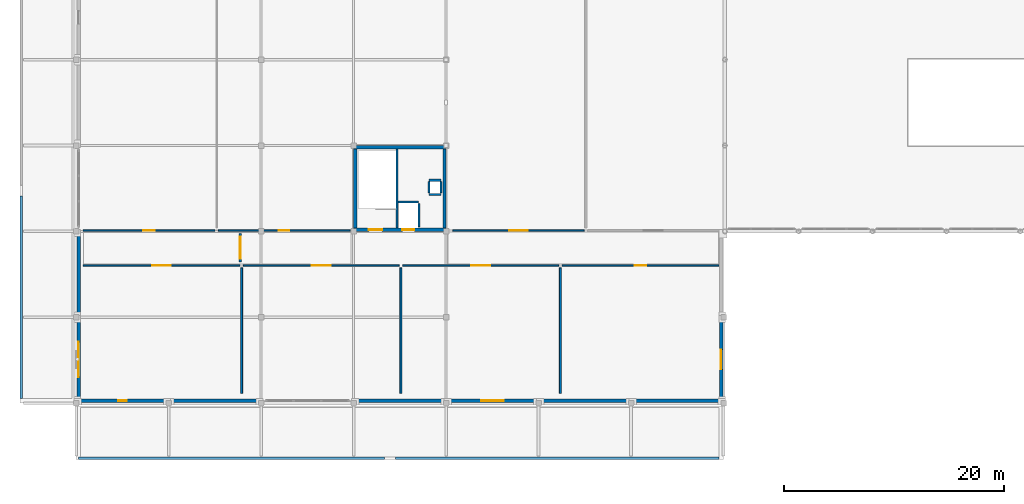
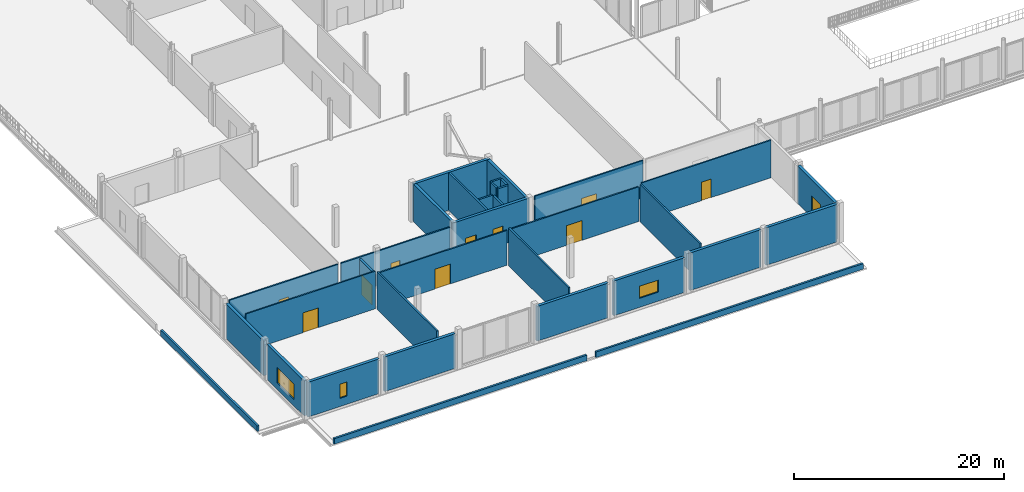
# One storey, part 68 of 98: 34 walls, 10 doors, 4 windows, 14 openings.
"""IFC4 building model written with IfcOpenShell, lengths in metres."""

import ifcopenshell
import ifcopenshell.guid

model = None  # the IFC model being written
_history = None  # IfcOwnerHistory: only IFC2X3 demands one
_inside = {}  # id of a spatial element -> (the spatial element, [elements in it])
_under = {}  # id of a project, library or spatial element -> (it, [spatial elements below it])
_declared = {}  # id of a project -> (the project, [libraries it declares])
_typed = {}  # id of a type object -> (the type object, [elements of that type])
_made_of = {}  # id of a material, layer set ... -> (it, [elements and type objects made of it])


def new_model(schema):
    """Start an empty IFC model of exactly this schema.

    Asked for "IFC4X3", IfcOpenShell would pick the latest addendum, in which some entities
    have other attributes; the version numbers below select the first issue.
    IFC2X3 requires an IfcOwnerHistory on every rooted entity: one is made here for all.
    """
    global model, _history
    if schema == "IFC4X3":
        model = ifcopenshell.file(schema_version=(4, 3, 0, 0))
    else:
        model = ifcopenshell.file(schema=schema)
    _inside.clear()
    _under.clear()
    _declared.clear()
    _typed.clear()
    _made_of.clear()
    _history = None
    if model.schema == "IFC2X3":
        org = make("IfcOrganization", Name="unknown")
        user = make(
            "IfcPersonAndOrganization",
            ThePerson=make("IfcPerson", FamilyName="unknown"),
            TheOrganization=org,
        )
        app = make(
            "IfcApplication",
            ApplicationDeveloper=org,
            Version="unknown",
            ApplicationFullName="unknown",
            ApplicationIdentifier="unknown",
        )
        _history = make(
            "IfcOwnerHistory",
            OwningUser=user,
            OwningApplication=app,
            ChangeAction="ADDED",
            CreationDate=0,
        )
    return model


def make(cls, **values):
    """One entity of the class cls with the attributes given. An attribute that is None is left unset."""
    return model.create_entity(
        cls, **{name: value for name, value in values.items() if value is not None}
    )


def rooted(cls, **values):
    """An entity with a GlobalId (a new one), such as an element, a storey or a relation."""
    return make(cls, GlobalId=ifcopenshell.guid.new(), OwnerHistory=_history, **values)


def si_unit(unit_type, name, prefix=None):
    """IfcSIUnit, for example si_unit("LENGTHUNIT", "METRE", prefix="MILLI")."""
    return make("IfcSIUnit", UnitType=unit_type, Prefix=prefix, Name=name)


def assignment(units):
    """IfcUnitAssignment: the units of a project."""
    return None if units is None else make("IfcUnitAssignment", Units=units)


def point(xyz):
    """IfcCartesianPoint."""
    return None if xyz is None else make("IfcCartesianPoint", Coordinates=xyz)


def direction(xyz):
    """IfcDirection."""
    return None if xyz is None else make("IfcDirection", DirectionRatios=xyz)


def frame(location, z_axis=None, x_axis=None):
    """IfcAxis2Placement3D, a coordinate frame: its origin and axes. An axis left out is left unset."""
    return make(
        "IfcAxis2Placement3D",
        Location=point(location),
        Axis=direction(z_axis),
        RefDirection=direction(x_axis),
    )


def frame_2d(location, x_axis=None):
    """IfcAxis2Placement2D, a coordinate frame in the plane: its origin and x axis."""
    return make(
        "IfcAxis2Placement2D", Location=point(location), RefDirection=direction(x_axis)
    )


def origin():
    """The frame at (0, 0, 0) with its axes left unset."""
    return frame((0.0, 0.0, 0.0))


def place(relative_to, where):
    """IfcLocalPlacement: puts the frame where relative to a parent placement (None: the world)."""
    return make(
        "IfcLocalPlacement", PlacementRelTo=relative_to, RelativePlacement=where
    )


def context(
    kind, dimensions, precision=None, world=None, true_north=None, identifier=None
):
    """IfcGeometricRepresentationContext, for example the 3D "Model" context."""
    return make(
        "IfcGeometricRepresentationContext",
        ContextIdentifier=identifier,
        ContextType=kind,
        CoordinateSpaceDimension=dimensions,
        Precision=precision,
        WorldCoordinateSystem=world,
        TrueNorth=true_north,
    )


def subcontext(parent, identifier, kind, view, scale=None):
    """IfcGeometricRepresentationSubContext, for example "Body" below "Model"."""
    return make(
        "IfcGeometricRepresentationSubContext",
        ContextIdentifier=identifier,
        ContextType=kind,
        ParentContext=parent,
        TargetScale=scale,
        TargetView=view,
    )


def project(units=None, contexts=None):
    """IfcProject with its units and contexts."""
    return rooted(
        "IfcProject",
        Name="project",
        RepresentationContexts=contexts,
        UnitsInContext=assignment(units),
    )


def spatial(cls, under=None, at=None, **own):
    """A site, building, storey or space (cls), placed at a placement, below another one or the project."""
    s = rooted(cls, ObjectPlacement=at, **own)
    if under is not None:
        _under.setdefault(under.id(), (under, []))[1].append(s)
    return s


def profile(cls, at=None, kind="AREA", **sizes):
    """A parametric profile (cls). Its sizes go by their IFC names, for example OverallWidth=200.0."""
    return make(cls, ProfileType=kind, Position=at, **sizes)


def rectangle(**sizes):
    """IfcRectangleProfileDef."""
    return profile("IfcRectangleProfileDef", **sizes)


def extrude(swept, where, along, depth):
    """IfcExtrudedAreaSolid: the profile swept, set in the frame where, extruded along a direction by depth."""
    return make(
        "IfcExtrudedAreaSolid",
        SweptArea=swept,
        Position=where,
        ExtrudedDirection=direction(along),
        Depth=depth,
    )


def shape(context_of_items, identifier, shape_type, items):
    """IfcShapeRepresentation: the items that make up one representation, for example the "Body"."""
    return make(
        "IfcShapeRepresentation",
        ContextOfItems=context_of_items,
        RepresentationIdentifier=identifier,
        RepresentationType=shape_type,
        Items=items,
    )


def material(Name=None, Category=None):
    """IfcMaterial."""
    return make("IfcMaterial", Name=Name, Category=Category)


def layer(
    of_material, thickness, ventilated=None, Name=None, Category=None, Priority=None
):
    """IfcMaterialLayer: one layer of a wall or slab, of a material (None: an air gap)."""
    return make(
        "IfcMaterialLayer",
        Material=of_material,
        LayerThickness=thickness,
        IsVentilated=ventilated,
        Name=Name,
        Category=Category,
        Priority=Priority,
    )


def layer_set(layers, Name=None):
    """IfcMaterialLayerSet."""
    return make("IfcMaterialLayerSet", MaterialLayers=layers, LayerSetName=Name)


def made_of(thing, what):
    """Note that an element or type object is made of a material, layer set ...; save() writes the relation."""
    if what is not None:
        _made_of.setdefault(what.id(), (what, []))[1].append(thing)
    return thing


def type_object(cls, material=None, **own):
    """A type object (cls), such as IfcWallType, which elements share."""
    return made_of(rooted(cls, **own), material)


def element(
    cls,
    number,
    at=None,
    inside=None,
    cuts=None,
    type_object=None,
    material=None,
    context=None,
    identifier="Body",
    shape_type=None,
    held_by="IfcProductDefinitionShape",
    body=None,
    shapes=None,
    **own,
):
    """One element of the class cls, such as IfcWall. Its Tag is "e" and its number.

    at: its placement. inside: the storey or other place that contains it. cuts: it is an
    opening in that element (IfcRelVoidsElement). A single representation is given by context,
    identifier, shape_type and body (its items); several are given by shapes. held_by: the class
    of the entity that holds the representations. save() writes the other relations.
    """
    e = rooted(cls, Tag="e%d" % number, ObjectPlacement=at, **own)
    if body is not None:
        shapes = [shape(context, identifier, shape_type, body)]
    if shapes is not None:
        e.Representation = make(held_by, Representations=shapes)
    if inside is not None:
        _inside.setdefault(inside.id(), (inside, []))[1].append(e)
    if cuts is not None:
        rooted(
            "IfcRelVoidsElement", RelatingBuildingElement=cuts, RelatedOpeningElement=e
        )
    if type_object is not None:
        _typed.setdefault(type_object.id(), (type_object, []))[1].append(e)
    return made_of(e, material)


def fill(opening, filler):
    """IfcRelFillsElement: the door or window that sits in an opening."""
    return rooted(
        "IfcRelFillsElement",
        RelatingOpeningElement=opening,
        RelatedBuildingElement=filler,
    )


def aggregate(whole, parts):
    """IfcRelAggregates: a whole, such as a stair, and the parts it consists of."""
    return rooted("IfcRelAggregates", RelatingObject=whole, RelatedObjects=parts)


def save(model, path):
    """Write the relations noted so far, then the file.

    IfcRelAggregates (storeys below a building ...), IfcRelContainedInSpatialStructure (elements
    in a storey), IfcRelDefinesByType, IfcRelAssociatesMaterial and IfcRelDeclares: one each for
    every whole, place, type object, material and project.
    """
    for whole, parts in _under.values():
        aggregate(whole, parts)
    for where, things in _inside.values():
        rooted(
            "IfcRelContainedInSpatialStructure",
            RelatedElements=things,
            RelatingStructure=where,
        )
    for kind, things in _typed.values():
        rooted("IfcRelDefinesByType", RelatedObjects=things, RelatingType=kind)
    for what, things in _made_of.values():
        rooted("IfcRelAssociatesMaterial", RelatedObjects=things, RelatingMaterial=what)
    for by, libraries in _declared.values():
        rooted("IfcRelDeclares", RelatingContext=by, RelatedDefinitions=libraries)
    model.write(path)


model = new_model("IFC4")

# Units and contexts
model_context = context("Model", 3, precision=1e-05, world=origin(), true_north=direction((0.0, 1.0)))
body_context = subcontext(model_context, "Body", "Model", "MODEL_VIEW")
ifc_project = project(units=[si_unit("LENGTHUNIT", "METRE"), si_unit("AREAUNIT", "SQUARE_METRE"), si_unit("VOLUMEUNIT", "CUBIC_METRE"), si_unit("PLANEANGLEUNIT", "RADIAN"), si_unit("MASSUNIT", "GRAM", prefix="KILO")], contexts=[model_context])

# Site, building, storey
site_placement = place(None, origin())
site = spatial("IfcSite", under=ifc_project, at=site_placement, CompositionType="ELEMENT")
building_placement = place(site_placement, origin())
building = spatial("IfcBuilding", under=site, at=building_placement, Name="Nabrawat Pavilion Hospital", CompositionType="ELEMENT")
storey_placement = place(building_placement, frame((0.0, 0.0, 10.199951171875)))
storey = spatial("IfcBuildingStorey", under=building, at=storey_placement, Name="L02", CompositionType="ELEMENT", Elevation=10.199951171875)

# Wall, opening, door
ifc_material_1 = material(Name="Gypsum Fireboard on Steel Stud", Category="steel")
ifc_layer_1 = layer(ifc_material_1, 0.14990234375, Name="Gypsum Fireboard on Steel Stud")
ifc_layer_set_1 = layer_set([ifc_layer_1], Name="Gypsum Fireboard on Steel Stud")
wall_type_1 = type_object("IfcWallType", Name="Clinical Corridor Smoke-Barrier Wall 150", PredefinedType="PARTITIONING", material=ifc_layer_set_1)
wall_1_placement = place(storey_placement, frame((0.6201171875, 12.510009765625, 0.0), z_axis=(0.0, 0.0, 1.0), x_axis=(1.0, 0.0, 0.0)))
wall_1 = element("IfcWall", 1, at=wall_1_placement, inside=storey, type_object=wall_type_1, Name="L02 Intensive Care Pod Adult Medical A L02-01 Front Partition", PredefinedType="PARTITIONING", context=body_context, shape_type="SweptSolid", body=[
    extrude(rectangle(XDim=14.239990234375, YDim=0.14990234375, at=frame_2d((7.1201171875, 0.0))), origin(), (0.0, 0.0, 1.0), 4.3701171875),
])
opening_1_placement = place(wall_1_placement, frame((6.27001953125, 0.0, 0.0)))
opening_1 = element("IfcOpeningElement", 2, at=opening_1_placement, cuts=wall_1, Name="Opening D-ICU", PredefinedType="OPENING", context=body_context, shape_type="SweptSolid", body=[
    extrude(rectangle(XDim=1.699951171875, YDim=2.300048828125, at=frame_2d((0.85009765625, 1.14990234375))), frame((0.0, 0.0849609375, 0.0), z_axis=(0.0, -1.0, 0.0), x_axis=(1.0, 0.0, 0.0)), (0.0, 0.0, 1.0), 0.169921875),
])
ifc_material_2 = material(Name="Stainless-Clad Acoustic Timber and Vision Glass", Category="wood")
door_type_1 = type_object("IfcDoorType", Name="Intensive Care Glazed Breakout Door 1700x2300", OperationType="DOUBLE_DOOR_SLIDING", PredefinedType="DOOR", material=ifc_material_2)
door_1_placement = place(opening_1_placement, origin())
door_1 = element("IfcDoor", 3, at=door_1_placement, inside=storey, type_object=door_type_1, Name="Intensive Care Pod Adult Medical A L02-01 Door", OperationType="DOUBLE_DOOR_SLIDING", OverallHeight=2.300048828125, OverallWidth=1.699951171875, PredefinedType="DOOR", context=body_context, shape_type="SweptSolid", body=[
    extrude(rectangle(XDim=1.699951171875, YDim=2.300048828125, at=frame_2d((0.85009765625, 1.14990234375))), frame((0.0, 0.02490234375, 0.0), z_axis=(0.0, -1.0, 0.0), x_axis=(1.0, 0.0, 0.0)), (0.0, 0.0, 1.0), 0.050048828125),
])
fill(opening_1, door_1)

wall_2_placement = place(storey_placement, frame((15.179931640625, 12.510009765625, 0.0), z_axis=(0.0, 0.0, 1.0), x_axis=(1.0, 0.0, 0.0)))
wall_2 = element("IfcWall", 4, at=wall_2_placement, inside=storey, type_object=wall_type_1, Name="L02 Intensive Care Pod Coronary CCU B L02-02 Front Partition", PredefinedType="PARTITIONING", context=body_context, shape_type="SweptSolid", body=[
    extrude(rectangle(XDim=14.16015625, YDim=0.14990234375, at=frame_2d((7.080078125, 0.0))), origin(), (0.0, 0.0, 1.0), 4.0400390625),
])
opening_2_placement = place(wall_2_placement, frame((6.22998046875, 0.0, 0.0)))
opening_2 = element("IfcOpeningElement", 5, at=opening_2_placement, cuts=wall_2, Name="Opening D-ICU", PredefinedType="OPENING", context=body_context, shape_type="SweptSolid", body=[
    extrude(rectangle(XDim=1.699951171875, YDim=2.300048828125, at=frame_2d((0.85009765625, 1.14990234375))), frame((0.0, 0.0849609375, 0.0), z_axis=(0.0, -1.0, 0.0), x_axis=(1.0, 0.0, 0.0)), (0.0, 0.0, 1.0), 0.169921875),
])
door_2_placement = place(opening_2_placement, origin())
door_2 = element("IfcDoor", 6, at=door_2_placement, inside=storey, type_object=door_type_1, Name="Intensive Care Pod Coronary CCU B L02-02 Door", OperationType="DOUBLE_DOOR_SLIDING", OverallHeight=2.300048828125, OverallWidth=1.699951171875, PredefinedType="DOOR", context=body_context, shape_type="SweptSolid", body=[
    extrude(rectangle(XDim=1.699951171875, YDim=2.300048828125, at=frame_2d((0.85009765625, 1.14990234375))), frame((0.0, 0.02490234375, 0.0), z_axis=(0.0, -1.0, 0.0), x_axis=(1.0, 0.0, 0.0)), (0.0, 0.0, 1.0), 0.050048828125),
])
fill(opening_2, door_2)

wall_3_placement = place(storey_placement, frame((29.659912109375, 12.510009765625, 0.0), z_axis=(0.0, 0.0, 1.0), x_axis=(1.0, 0.0, 0.0)))
wall_3 = element("IfcWall", 7, at=wall_3_placement, inside=storey, type_object=wall_type_1, Name="L02 Intensive Care Pod Airborne Isolation L02-03 Front Partition", PredefinedType="PARTITIONING", context=body_context, shape_type="SweptSolid", body=[
    extrude(rectangle(XDim=14.16015625, YDim=0.14990234375, at=frame_2d((7.080078125, 0.0))), origin(), (0.0, 0.0, 1.0), 4.0400390625),
])
opening_3_placement = place(wall_3_placement, frame((6.22998046875, 0.0, 0.0)))
opening_3 = element("IfcOpeningElement", 8, at=opening_3_placement, cuts=wall_3, Name="Opening D-ICU", PredefinedType="OPENING", context=body_context, shape_type="SweptSolid", body=[
    extrude(rectangle(XDim=1.699951171875, YDim=2.300048828125, at=frame_2d((0.85009765625, 1.14990234375))), frame((0.0, 0.0849609375, 0.0), z_axis=(0.0, -1.0, 0.0), x_axis=(1.0, 0.0, 0.0)), (0.0, 0.0, 1.0), 0.169921875),
])
door_3_placement = place(opening_3_placement, origin())
door_3 = element("IfcDoor", 9, at=door_3_placement, inside=storey, type_object=door_type_1, Name="Intensive Care Pod Airborne Isolation L02-03 Door", OperationType="DOUBLE_DOOR_SLIDING", OverallHeight=2.300048828125, OverallWidth=1.699951171875, PredefinedType="DOOR", context=body_context, shape_type="SweptSolid", body=[
    extrude(rectangle(XDim=1.699951171875, YDim=2.300048828125, at=frame_2d((0.85009765625, 1.14990234375))), frame((0.0, 0.02490234375, 0.0), z_axis=(0.0, -1.0, 0.0), x_axis=(1.0, 0.0, 0.0)), (0.0, 0.0, 1.0), 0.050048828125),
])
fill(opening_3, door_3)

wall_4_placement = place(storey_placement, frame((44.139892578125, 12.510009765625, 0.0), z_axis=(0.0, 0.0, 1.0), x_axis=(1.0, 0.0, 0.0)))
wall_4 = element("IfcWall", 10, at=wall_4_placement, inside=storey, type_object=wall_type_1, Name="L02 Central ICU Monitoring Nurse Station L02-04 Front Partition", PredefinedType="PARTITIONING", context=body_context, shape_type="SweptSolid", body=[
    extrude(rectangle(XDim=14.239990234375, YDim=0.14990234375, at=frame_2d((7.1201171875, 0.0))), origin(), (0.0, 0.0, 1.0), 4.3701171875),
])
opening_4_placement = place(wall_4_placement, frame((6.594970703125, 0.0, 0.0)))
opening_4 = element("IfcOpeningElement", 11, at=opening_4_placement, cuts=wall_4, Name="Opening D-OPC-L", PredefinedType="OPENING", context=body_context, shape_type="SweptSolid", body=[
    extrude(rectangle(XDim=1.050048828125, YDim=2.14990234375, at=frame_2d((0.52490234375, 1.074951171875))), frame((0.0, 0.0849609375, 0.0), z_axis=(0.0, -1.0, 0.0), x_axis=(1.0, 0.0, 0.0)), (0.0, 0.0, 1.0), 0.169921875),
])
door_type_2 = type_object("IfcDoorType", Name="Outpatient Clinic Consultation Door L 1050x2150", OperationType="NOTDEFINED", PredefinedType="DOOR", material=ifc_material_2)
door_4_placement = place(opening_4_placement, origin())
door_4 = element("IfcDoor", 12, at=door_4_placement, inside=storey, type_object=door_type_2, Name="Central ICU Monitoring Nurse Station L02-04 Door", OperationType="SINGLE_SWING_RIGHT", OverallHeight=2.14990234375, OverallWidth=1.050048828125, PredefinedType="DOOR", context=body_context, shape_type="SweptSolid", body=[
    extrude(rectangle(XDim=1.050048828125, YDim=2.14990234375, at=frame_2d((0.52490234375, 1.074951171875))), frame((0.0, 0.02490234375, 0.0), z_axis=(0.0, -1.0, 0.0), x_axis=(1.0, 0.0, 0.0)), (0.0, 0.0, 1.0), 0.050048828125),
])
fill(opening_4, door_4)

wall_5_placement = place(storey_placement, frame((0.6201171875, 15.68994140625, 0.0), z_axis=(0.0, 0.0, 1.0), x_axis=(1.0, 0.0, 0.0)))
wall_5 = element("IfcWall", 13, at=wall_5_placement, inside=storey, type_object=wall_type_1, Name="L02 Ventilator and ECMO Equipment Store L02-05 Front Partition", PredefinedType="PARTITIONING", context=body_context, shape_type="SweptSolid", body=[
    extrude(rectangle(XDim=11.969970703125, YDim=0.14990234375, at=frame_2d((5.98486328125, 0.0))), origin(), (0.0, 0.0, 1.0), 4.0400390625),
])
opening_5_placement = place(wall_5_placement, frame((5.4599609375, 0.0, 0.0)))
opening_5 = element("IfcOpeningElement", 14, at=opening_5_placement, cuts=wall_5, Name="Opening D-OPC-R", PredefinedType="OPENING", context=body_context, shape_type="SweptSolid", body=[
    extrude(rectangle(XDim=1.050048828125, YDim=2.14990234375, at=frame_2d((0.52490234375, 1.074951171875))), frame((0.0, 0.0849609375, 0.0), z_axis=(0.0, -1.0, 0.0), x_axis=(1.0, 0.0, 0.0)), (0.0, 0.0, 1.0), 0.169921875),
])
door_type_3 = type_object("IfcDoorType", Name="Outpatient Clinic Consultation Door R 1050x2150", OperationType="NOTDEFINED", PredefinedType="DOOR", material=ifc_material_2)
door_5_placement = place(opening_5_placement, origin())
door_5 = element("IfcDoor", 15, at=door_5_placement, inside=storey, type_object=door_type_3, Name="Ventilator and ECMO Equipment Store L02-05 Door", OperationType="SINGLE_SWING_LEFT", OverallHeight=2.14990234375, OverallWidth=1.050048828125, PredefinedType="DOOR", context=body_context, shape_type="SweptSolid", body=[
    extrude(rectangle(XDim=1.050048828125, YDim=2.14990234375, at=frame_2d((0.52490234375, 1.074951171875))), frame((0.0, 0.02490234375, 0.0), z_axis=(0.0, -1.0, 0.0), x_axis=(1.0, 0.0, 0.0)), (0.0, 0.0, 1.0), 0.050048828125),
])
fill(opening_5, door_5)

wall_6_placement = place(storey_placement, frame((12.909912109375, 15.68994140625, 0.0), z_axis=(0.0, 0.0, 1.0), x_axis=(1.0, 0.0, 0.0)))
wall_6 = element("IfcWall", 16, at=wall_6_placement, inside=storey, type_object=wall_type_1, Name="L02 Critical Care Family Consultation Room L02-06 Front Partition", PredefinedType="PARTITIONING", context=body_context, shape_type="SweptSolid", body=[
    extrude(rectangle(XDim=11.969970703125, YDim=0.14990234375, at=frame_2d((5.98486328125, 0.0))), origin(), (0.0, 0.0, 1.0), 4.0400390625),
])
opening_6_placement = place(wall_6_placement, frame((5.510009765625, 0.0, 0.0)))
opening_6 = element("IfcOpeningElement", 17, at=opening_6_placement, cuts=wall_6, Name="Opening D-ADM", PredefinedType="OPENING", context=body_context, shape_type="SweptSolid", body=[
    extrude(rectangle(XDim=0.949951171875, YDim=2.10009765625, at=frame_2d((0.47509765625, 1.050048828125))), frame((0.0, 0.0849609375, 0.0), z_axis=(0.0, -1.0, 0.0), x_axis=(1.0, 0.0, 0.0)), (0.0, 0.0, 1.0), 0.169921875),
])
door_type_4 = type_object("IfcDoorType", Name="Clinical Office Acoustic Door 950x2100", OperationType="NOTDEFINED", PredefinedType="DOOR", material=ifc_material_2)
door_6_placement = place(opening_6_placement, origin())
door_6 = element("IfcDoor", 18, at=door_6_placement, inside=storey, type_object=door_type_4, Name="Critical Care Family Consultation Room L02-06 Door", OperationType="SINGLE_SWING_RIGHT", OverallHeight=2.10009765625, OverallWidth=0.949951171875, PredefinedType="DOOR", context=body_context, shape_type="SweptSolid", body=[
    extrude(rectangle(XDim=0.949951171875, YDim=2.10009765625, at=frame_2d((0.47509765625, 1.050048828125))), frame((0.0, 0.02490234375, 0.0), z_axis=(0.0, -1.0, 0.0), x_axis=(1.0, 0.0, 0.0)), (0.0, 0.0, 1.0), 0.050048828125),
])
fill(opening_6, door_6)

wall_7_placement = place(storey_placement, frame((34.219970703125, 15.68994140625, 0.0), z_axis=(0.0, 0.0, 1.0), x_axis=(1.0, 0.0, 0.0)))
wall_7 = element("IfcWall", 19, at=wall_7_placement, inside=storey, type_object=wall_type_1, Name="L02 Intensive Care Pod Adult Medical A L02-07 Front Partition", PredefinedType="PARTITIONING", context=body_context, shape_type="SweptSolid", body=[
    extrude(rectangle(XDim=11.919921875, YDim=0.14990234375, at=frame_2d((5.9599609375, 0.0))), origin(), (0.0, 0.0, 1.0), 4.3701171875),
])
opening_7_placement = place(wall_7_placement, frame((5.110107421875, 0.0, 0.0)))
opening_7 = element("IfcOpeningElement", 20, at=opening_7_placement, cuts=wall_7, Name="Opening D-ICU", PredefinedType="OPENING", context=body_context, shape_type="SweptSolid", body=[
    extrude(rectangle(XDim=1.699951171875, YDim=2.300048828125, at=frame_2d((0.85009765625, 1.14990234375))), frame((0.0, 0.0849609375, 0.0), z_axis=(0.0, -1.0, 0.0), x_axis=(1.0, 0.0, 0.0)), (0.0, 0.0, 1.0), 0.169921875),
])
door_7_placement = place(opening_7_placement, origin())
door_7 = element("IfcDoor", 21, at=door_7_placement, inside=storey, type_object=door_type_1, Name="Intensive Care Pod Adult Medical A L02-07 Door", OperationType="DOUBLE_DOOR_SLIDING", OverallHeight=2.300048828125, OverallWidth=1.699951171875, PredefinedType="DOOR", context=body_context, shape_type="SweptSolid", body=[
    extrude(rectangle(XDim=1.699951171875, YDim=2.300048828125, at=frame_2d((0.85009765625, 1.14990234375))), frame((0.0, 0.02490234375, 0.0), z_axis=(0.0, -1.0, 0.0), x_axis=(1.0, 0.0, 0.0)), (0.0, 0.0, 1.0), 0.050048828125),
])
fill(opening_7, door_7)

# Walls
ifc_material_3 = material(Name="Acoustic Gypsum on Twin Stud", Category="gypsum")
ifc_layer_2 = layer(ifc_material_3, 0.179931640625, Name="Acoustic Gypsum on Twin Stud")
ifc_layer_set_2 = layer_set([ifc_layer_2], Name="Acoustic Gypsum on Twin Stud")
wall_type_2 = type_object("IfcWallType", Name="Critical Care Acoustic Glazed Partition 180", PredefinedType="PARTITIONING", material=ifc_layer_set_2)
for number, where, z_axis, x_axis, name in (
    (22, (15.02001953125, 0.889892578125, 0.0), (0.0, 0.0, 1.0), (0.0, 1.0, 0.0), "L02 Intensive Care Pod Adult Medical A L02-01 Dividing Partition"),
    (23, (29.5, 0.889892578125, 0.0), (0.0, 0.0, 1.0), (0.0, 1.0, 0.0), "L02 Intensive Care Pod Coronary CCU B L02-02 Dividing Partition"),
    (24, (43.97998046875, 0.889892578125, 0.0), (0.0, 0.0, 1.0), (0.0, 1.0, 0.0), "L02 Intensive Care Pod Airborne Isolation L02-03 Dividing Partition"),
):
    element("IfcWall", number, at=place(storey_placement, frame(where, z_axis=z_axis, x_axis=x_axis)), inside=storey, type_object=wall_type_2, Name=name, PredefinedType="PARTITIONING", context=body_context, shape_type="SweptSolid", body=[
        extrude(rectangle(XDim=11.400146484375, YDim=0.179931640625, at=frame_2d((5.7001953125, 0.0))), origin(), (0.0, 0.0, 1.0), 4.3701171875),
    ])

# Wall, opening, window
ifc_material_4 = material(Name="Precast concrete C40/50", Category="concrete")
ifc_layer_3 = layer(ifc_material_4, 0.320068359375, Name="Precast concrete C40/50")
ifc_layer_set_3 = layer_set([ifc_layer_3], Name="Precast concrete C40/50")
wall_type_3 = type_object("IfcWallType", Name="Deep-Reveal Precast Facade Wall 320", PredefinedType="SOLIDWALL", material=ifc_layer_set_3)
wall_8_placement = place(storey_placement, frame((0.219970703125, 0.43994140625, 0.0), z_axis=(0.0, 0.0, 1.0), x_axis=(0.0, 1.0, 0.0)))
wall_8 = element("IfcWall", 25, at=wall_8_placement, inside=storey, type_object=wall_type_3, Name="L02 Deep-Reveal Precast Facade Wall 320 235", PredefinedType="SOLIDWALL", context=body_context, shape_type="SweptSolid", body=[
    extrude(rectangle(XDim=7.06005859375, YDim=0.320068359375, at=frame_2d((3.530029296875, 0.0))), origin(), (0.0, 0.0, 1.0), 4.0400390625),
])
opening_8_placement = place(wall_8_placement, frame((1.929931640625, 0.0, 0.75)))
opening_8 = element("IfcOpeningElement", 26, at=opening_8_placement, cuts=wall_8, Name="Opening WN-26", PredefinedType="OPENING", context=body_context, shape_type="SweptSolid", body=[
    extrude(rectangle(XDim=3.199951171875, YDim=1.800048828125, at=frame_2d((1.60009765625, 0.89990234375))), frame((0.0, 0.169921875, 0.0), z_axis=(0.0, -1.0, 0.0), x_axis=(1.0, 0.0, 0.0)), (0.0, 0.0, 1.0), 0.340087890625),
])
ifc_material_5 = material(Name="Thermally Broken Aluminium and Solar Glass", Category="aluminium")
window_type_1 = type_object("IfcWindowType", Name="Dayroom Picture Window 3200x1800", PartitioningType="SINGLE_PANEL", PredefinedType="WINDOW", material=ifc_material_5)
window_1_placement = place(opening_8_placement, origin())
window_1 = element("IfcWindow", 27, at=window_1_placement, inside=storey, type_object=window_type_1, Name="L02 Dayroom Picture Window 3200x1800 090", OverallHeight=1.800048828125, OverallWidth=3.199951171875, PartitioningType="SINGLE_PANEL", PredefinedType="WINDOW", context=body_context, shape_type="SweptSolid", body=[
    extrude(rectangle(XDim=3.199951171875, YDim=1.800048828125, at=frame_2d((1.60009765625, 0.89990234375))), frame((0.0, 0.030029296875, 0.0), z_axis=(0.0, -1.0, 0.0), x_axis=(1.0, 0.0, 0.0)), (0.0, 0.0, 1.0), 0.06005859375),
])
fill(opening_8, window_1)

# Wall
wall_9_placement = place(storey_placement, frame((0.219970703125, 8.10009765625, 0.0), z_axis=(0.0, 0.0, 1.0), x_axis=(0.0, 1.0, 0.0)))
element("IfcWall", 28, at=wall_9_placement, inside=storey, type_object=wall_type_3, Name="L02 Deep-Reveal Precast Facade Wall 320 236", PredefinedType="SOLIDWALL", context=body_context, shape_type="SweptSolid", body=[
    extrude(rectangle(XDim=7.199951171875, YDim=0.320068359375, at=frame_2d((3.60009765625, 0.0))), origin(), (0.0, 0.0, 1.0), 4.0400390625),
])

# Wall, opening, window
wall_10_placement = place(storey_placement, frame((0.300048828125, 0.219970703125, 0.0), z_axis=(0.0, 0.0, 1.0), x_axis=(1.0, 0.0, 0.0)))
wall_10 = element("IfcWall", 29, at=wall_10_placement, inside=storey, type_object=wall_type_3, Name="L02 Deep-Reveal Precast Facade Wall 320 239", PredefinedType="SOLIDWALL", context=body_context, shape_type="SweptSolid", body=[
    extrude(rectangle(XDim=7.800048828125, YDim=0.320068359375, at=frame_2d((3.89990234375, 0.0))), origin(), (0.0, 0.0, 1.0), 4.0400390625),
])
opening_9_placement = place(wall_10_placement, frame((3.5, 0.0, 0.949951171875)))
opening_9 = element("IfcOpeningElement", 30, at=opening_9_placement, cuts=wall_10, Name="Opening WN-28", PredefinedType="OPENING", context=body_context, shape_type="SweptSolid", body=[
    extrude(rectangle(XDim=0.800048828125, YDim=1.64990234375, at=frame_2d((0.39990234375, 0.824951171875))), frame((0.0, 0.169921875, 0.0), z_axis=(0.0, -1.0, 0.0), x_axis=(1.0, 0.0, 0.0)), (0.0, 0.0, 1.0), 0.340087890625),
])
window_type_2 = type_object("IfcWindowType", Name="Staff Rest Narrow Slot Window 800x1650", PartitioningType="SINGLE_PANEL", PredefinedType="WINDOW", material=ifc_material_5)
window_2_placement = place(opening_9_placement, origin())
window_2 = element("IfcWindow", 31, at=window_2_placement, inside=storey, type_object=window_type_2, Name="L02 Staff Rest Narrow Slot Window 800x1650 092", OverallHeight=1.64990234375, OverallWidth=0.800048828125, PartitioningType="SINGLE_PANEL", PredefinedType="WINDOW", context=body_context, shape_type="SweptSolid", body=[
    extrude(rectangle(XDim=0.800048828125, YDim=1.64990234375, at=frame_2d((0.39990234375, 0.824951171875))), frame((0.0, 0.030029296875, 0.0), z_axis=(0.0, -1.0, 0.0), x_axis=(1.0, 0.0, 0.0)), (0.0, 0.0, 1.0), 0.06005859375),
])
fill(opening_9, window_2)

# Walls
for number, where, z_axis, x_axis, name in (
    (32, (8.699951171875, 0.219970703125, 0.0), (0.0, 0.0, 1.0), (1.0, 0.0, 0.0), "L02 Deep-Reveal Precast Facade Wall 320 240"),
    (33, (25.5, 0.219970703125, 0.0), (0.0, 0.0, 1.0), (1.0, 0.0, 0.0), "L02 Deep-Reveal Precast Facade Wall 320 241"),
):
    element("IfcWall", number, at=place(storey_placement, frame(where, z_axis=z_axis, x_axis=x_axis)), inside=storey, type_object=wall_type_3, Name=name, PredefinedType="SOLIDWALL", context=body_context, shape_type="SweptSolid", body=[
        extrude(rectangle(XDim=7.800048828125, YDim=0.320068359375, at=frame_2d((3.89990234375, 0.0))), origin(), (0.0, 0.0, 1.0), 4.0400390625),
    ])

# Wall, opening, window
wall_11_placement = place(storey_placement, frame((33.89990234375, 0.219970703125, 0.0), z_axis=(0.0, 0.0, 1.0), x_axis=(1.0, 0.0, 0.0)))
wall_11 = element("IfcWall", 34, at=wall_11_placement, inside=storey, type_object=wall_type_3, Name="L02 Deep-Reveal Precast Facade Wall 320 242", PredefinedType="SOLIDWALL", context=body_context, shape_type="SweptSolid", body=[
    extrude(rectangle(XDim=7.800048828125, YDim=0.320068359375, at=frame_2d((3.89990234375, 0.0))), origin(), (0.0, 0.0, 1.0), 4.0400390625),
])
opening_10_placement = place(wall_11_placement, frame((2.875, 0.0, 1.050048828125)))
opening_10 = element("IfcOpeningElement", 35, at=opening_10_placement, cuts=wall_11, Name="Opening WN-29", PredefinedType="OPENING", context=body_context, shape_type="SweptSolid", body=[
    extrude(rectangle(XDim=2.050048828125, YDim=1.39990234375, at=frame_2d((1.02490234375, 0.699951171875))), frame((0.0, 0.169921875, 0.0), z_axis=(0.0, -1.0, 0.0), x_axis=(1.0, 0.0, 0.0)), (0.0, 0.0, 1.0), 0.340087890625),
])
window_type_3 = type_object("IfcWindowType", Name="Endoscopy Recovery Window 2050x1400", PartitioningType="SINGLE_PANEL", PredefinedType="WINDOW", material=ifc_material_5)
window_3_placement = place(opening_10_placement, origin())
window_3 = element("IfcWindow", 36, at=window_3_placement, inside=storey, type_object=window_type_3, Name="L02 Endoscopy Recovery Window 2050x1400 093", OverallHeight=1.39990234375, OverallWidth=2.050048828125, PartitioningType="SINGLE_PANEL", PredefinedType="WINDOW", context=body_context, shape_type="SweptSolid", body=[
    extrude(rectangle(XDim=2.050048828125, YDim=1.39990234375, at=frame_2d((1.02490234375, 0.699951171875))), frame((0.0, 0.030029296875, 0.0), z_axis=(0.0, -1.0, 0.0), x_axis=(1.0, 0.0, 0.0)), (0.0, 0.0, 1.0), 0.06005859375),
])
fill(opening_10, window_3)

# Walls
for number, where, z_axis, x_axis, name in (
    (37, (42.300048828125, 0.219970703125, 0.0), (0.0, 0.0, 1.0), (1.0, 0.0, 0.0), "L02 Deep-Reveal Precast Facade Wall 320 243"),
    (38, (50.699951171875, 0.219970703125, 0.0), (0.0, 0.0, 1.0), (1.0, 0.0, 0.0), "L02 Deep-Reveal Precast Facade Wall 320 244"),
):
    element("IfcWall", number, at=place(storey_placement, frame(where, z_axis=z_axis, x_axis=x_axis)), inside=storey, type_object=wall_type_3, Name=name, PredefinedType="SOLIDWALL", context=body_context, shape_type="SweptSolid", body=[
        extrude(rectangle(XDim=7.800048828125, YDim=0.320068359375, at=frame_2d((3.89990234375, 0.0))), origin(), (0.0, 0.0, 1.0), 4.3701171875),
    ])

# Wall, opening, window
wall_12_placement = place(storey_placement, frame((58.580078125, 0.43994140625, 0.0), z_axis=(0.0, 0.0, 1.0), x_axis=(0.0, 1.0, 0.0)))
wall_12 = element("IfcWall", 39, at=wall_12_placement, inside=storey, type_object=wall_type_3, Name="L02 Deep-Reveal Precast Facade Wall 320 260", PredefinedType="SOLIDWALL", context=body_context, shape_type="SweptSolid", body=[
    extrude(rectangle(XDim=7.06005859375, YDim=0.320068359375, at=frame_2d((3.530029296875, 0.0))), origin(), (0.0, 0.0, 1.0), 4.3701171875),
])
opening_11_placement = place(wall_12_placement, frame((2.6298828125, 0.0, 0.89990234375)))
opening_11 = element("IfcOpeningElement", 40, at=opening_11_placement, cuts=wall_12, Name="Opening WN-02", PredefinedType="OPENING", context=body_context, shape_type="SweptSolid", body=[
    extrude(rectangle(XDim=1.800048828125, YDim=1.60009765625, at=frame_2d((0.89990234375, 0.800048828125))), frame((0.0, 0.169921875, 0.0), z_axis=(0.0, -1.0, 0.0), x_axis=(1.0, 0.0, 0.0)), (0.0, 0.0, 1.0), 0.340087890625),
])
window_type_4 = type_object("IfcWindowType", Name="Deep-Reveal Ward Twin Window 1800x1600", PartitioningType="SINGLE_PANEL", PredefinedType="WINDOW", material=ifc_material_5)
window_4_placement = place(opening_11_placement, origin())
window_4 = element("IfcWindow", 41, at=window_4_placement, inside=storey, type_object=window_type_4, Name="L02 Deep-Reveal Ward Twin Window 1800x1600 098", OverallHeight=1.60009765625, OverallWidth=1.800048828125, PartitioningType="SINGLE_PANEL", PredefinedType="WINDOW", context=body_context, shape_type="SweptSolid", body=[
    extrude(rectangle(XDim=1.800048828125, YDim=1.60009765625, at=frame_2d((0.89990234375, 0.800048828125))), frame((0.0, 0.030029296875, 0.0), z_axis=(0.0, -1.0, 0.0), x_axis=(1.0, 0.0, 0.0)), (0.0, 0.0, 1.0), 0.06005859375),
])
fill(opening_11, window_4)

# Walls
ifc_material_6 = material(Name="Concrete C35/45", Category="concrete")
ifc_layer_4 = layer(ifc_material_6, 0.199951171875, Name="Concrete C35/45")
ifc_layer_set_4 = layer_set([ifc_layer_4], Name="Concrete C35/45")
wall_type_4 = type_object("IfcWallType", Name="Lift and Riser Fire Shaft Wall 200", PredefinedType="PARTITIONING", material=ifc_layer_set_4)
wall_13_placement = place(storey_placement, frame((29.14990234375, 15.919921875, 0.0), z_axis=(0.0, 0.0, 1.0), x_axis=(0.0, 1.0, 0.0)))
element("IfcWall", 42, at=wall_13_placement, inside=storey, type_object=wall_type_4, Name="L02 CORE-1 Stair-Lift Dividing Shear Wall", PredefinedType="SHEAR", context=body_context, shape_type="SweptSolid", body=[
    extrude(rectangle(XDim=7.16015625, YDim=0.199951171875, at=frame_2d((3.580078125, 0.0))), origin(), (0.0, 0.0, 1.0), 4.400146484375),
])
for number, where, z_axis, x_axis, name in (
    (43, (32.050048828125, 18.949951171875, 0.0), (0.0, 0.0, 1.0), (1.0, 0.0, 0.0), "L02 CORE-1 MEP Riser Shaft Wall S"),
    (44, (32.050048828125, 20.25, 0.0), (0.0, 0.0, 1.0), (1.0, 0.0, 0.0), "L02 CORE-1 MEP Riser Shaft Wall N"),
):
    element("IfcWall", number, at=place(storey_placement, frame(where, z_axis=z_axis, x_axis=x_axis)), inside=storey, type_object=wall_type_4, Name=name, PredefinedType="PARTITIONING", context=body_context, shape_type="SweptSolid", body=[
        extrude(rectangle(XDim=1.099853515625, YDim=0.199951171875, at=frame_2d((0.5498046875, 0.0))), origin(), (0.0, 0.0, 1.0), 4.0400390625),
    ])
for number, where, z_axis, x_axis, name in (
    (45, (32.050048828125, 19.070068359375, 0.0), (0.0, 0.0, 1.0), (0.0, 1.0, 0.0), "L02 CORE-1 MEP Riser Shaft Wall W"),
    (46, (33.14990234375, 19.070068359375, 0.0), (0.0, 0.0, 1.0), (0.0, 1.0, 0.0), "L02 CORE-1 MEP Riser Shaft Wall E"),
):
    element("IfcWall", number, at=place(storey_placement, frame(where, z_axis=z_axis, x_axis=x_axis)), inside=storey, type_object=wall_type_4, Name=name, PredefinedType="PARTITIONING", context=body_context, shape_type="SweptSolid", body=[
        extrude(rectangle(XDim=1.059814453125, YDim=0.199951171875, at=frame_2d((0.52978515625, 0.0))), origin(), (0.0, 0.0, 1.0), 4.0400390625),
    ])
wall_14_placement = place(storey_placement, frame((31.139892578125, 15.97998046875, 0.0), z_axis=(0.0, 0.0, 1.0), x_axis=(0.0, 1.0, 0.0)))
element("IfcWall", 47, at=wall_14_placement, inside=storey, type_object=wall_type_4, Name="L02 Lift LP-01 Shaft East Wall", PredefinedType="PARTITIONING", context=body_context, shape_type="SweptSolid", body=[
    extrude(rectangle(XDim=2.14013671875, YDim=0.199951171875, at=frame_2d((1.070068359375, 0.0))), origin(), (0.0, 0.0, 1.0), 4.0400390625),
])
wall_15_placement = place(storey_placement, frame((29.25, 18.280029296875, 0.0), z_axis=(0.0, 0.0, 1.0), x_axis=(1.0, 0.0, 0.0)))
element("IfcWall", 48, at=wall_15_placement, inside=storey, type_object=wall_type_4, Name="L02 Lift LP-01 Shaft Back Wall", PredefinedType="PARTITIONING", context=body_context, shape_type="SweptSolid", body=[
    extrude(rectangle(XDim=1.860107421875, YDim=0.199951171875, at=frame_2d((0.93017578125, 0.0))), origin(), (0.0, 0.0, 1.0), 4.0400390625),
])

# Wall, opening, door
ifc_layer_5 = layer(ifc_material_6, 0.239990234375, Name="Concrete C35/45")
ifc_layer_set_5 = layer_set([ifc_layer_5], Name="Concrete C35/45")
wall_type_5 = type_object("IfcWallType", Name="Major Sector Fire Compartment Wall 240", PredefinedType="PARTITIONING", material=ifc_layer_set_5)
wall_16_placement = place(storey_placement, frame((14.89990234375, 12.81005859375, 0.0), z_axis=(0.0, 0.0, 1.0), x_axis=(0.0, 1.0, 0.0)))
wall_16 = element("IfcWall", 49, at=wall_16_placement, inside=storey, type_object=wall_type_5, Name="L02 Cross-Corridor Smoke Compartment Wall", PredefinedType="PARTITIONING", context=body_context, shape_type="SweptSolid", body=[
    extrude(rectangle(XDim=2.579833984375, YDim=0.239990234375, at=frame_2d((1.2900390625, 0.0))), origin(), (0.0, 0.0, 1.0), 4.0400390625),
])
opening_12_placement = place(wall_16_placement, frame((0.2900390625, 0.0, 0.0)))
opening_12 = element("IfcOpeningElement", 50, at=opening_12_placement, cuts=wall_16, Name="Opening D-SMOKE", PredefinedType="OPENING", context=body_context, shape_type="SweptSolid", body=[
    extrude(rectangle(XDim=2.0, YDim=2.300048828125, at=frame_2d((1.0, 1.14990234375))), frame((0.0, 0.1298828125, 0.0), z_axis=(0.0, -1.0, 0.0), x_axis=(1.0, 0.0, 0.0)), (0.0, 0.0, 1.0), 0.260009765625),
])
door_type_5 = type_object("IfcDoorType", Name="D-SMOKE Corridor Hold-Open Smoke Door 2000x2300", OperationType="NOTDEFINED", PredefinedType="DOOR", material=ifc_material_2)
door_8_placement = place(opening_12_placement, origin())
door_8 = element("IfcDoor", 51, at=door_8_placement, inside=storey, type_object=door_type_5, Name="L02 Cross-Corridor Hold-Open Smoke Door", OperationType="DOUBLE_SWING_LEFT", OverallHeight=2.300048828125, OverallWidth=2.0, PredefinedType="DOOR", context=body_context, shape_type="SweptSolid", body=[
    extrude(rectangle(XDim=2.0, YDim=2.300048828125, at=frame_2d((1.0, 1.14990234375))), frame((0.0, 0.02490234375, 0.0), z_axis=(0.0, -1.0, 0.0), x_axis=(1.0, 0.0, 0.0)), (0.0, 0.0, 1.0), 0.050048828125),
])
fill(opening_12, door_8)

# Wall, openings, doors
ifc_material_7 = material(Name="Concrete C40/50", Category="concrete")
ifc_layer_6 = layer(ifc_material_7, 0.300048828125, Name="Concrete C40/50")
ifc_layer_set_6 = layer_set([ifc_layer_6], Name="Concrete C40/50")
wall_type_6 = type_object("IfcWallType", Name="Reinforced Concrete Core Shear Wall 300", PredefinedType="SHEAR", material=ifc_layer_set_6)
wall_17_placement = place(storey_placement, frame((25.199951171875, 15.75, 0.0), z_axis=(0.0, 0.0, 1.0), x_axis=(1.0, 0.0, 0.0)))
wall_17 = element("IfcWall", 52, at=wall_17_placement, inside=storey, type_object=wall_type_6, Name="L02 CORE-1 South Core Shear Wall", PredefinedType="SHEAR", context=body_context, shape_type="SweptSolid", body=[
    extrude(rectangle(XDim=8.400146484375, YDim=0.300048828125, at=frame_2d((4.2001953125, 0.0))), origin(), (0.0, 0.0, 1.0), 4.400146484375),
])
opening_13_placement = place(wall_17_placement, frame((1.3798828125, 0.0, 0.0)))
opening_13 = element("IfcOpeningElement", 53, at=opening_13_placement, cuts=wall_17, Name="Opening D-STAIR", PredefinedType="OPENING", context=body_context, shape_type="SweptSolid", body=[
    extrude(rectangle(XDim=1.199951171875, YDim=2.14990234375, at=frame_2d((0.60009765625, 1.074951171875))), frame((0.0, 0.16015625, 0.0), z_axis=(0.0, -1.0, 0.0), x_axis=(1.0, 0.0, 0.0)), (0.0, 0.0, 1.0), 0.320068359375),
])
opening_14_placement = place(wall_17_placement, frame((4.429931640625, 0.0, 0.0)))
opening_14 = element("IfcOpeningElement", 54, at=opening_14_placement, cuts=wall_17, Name="Opening LD-LP-01", PredefinedType="OPENING", context=body_context, shape_type="SweptSolid", body=[
    extrude(rectangle(XDim=1.10009765625, YDim=2.14990234375, at=frame_2d((0.550048828125, 1.074951171875))), frame((0.0, 0.16015625, 0.0), z_axis=(0.0, -1.0, 0.0), x_axis=(1.0, 0.0, 0.0)), (0.0, 0.0, 1.0), 0.320068359375),
])
door_type_6 = type_object("IfcDoorType", Name="D-STAIR Exit Stair Fire Door 1200x2150", OperationType="NOTDEFINED", PredefinedType="DOOR", material=ifc_material_2)
door_9_placement = place(opening_13_placement, origin())
door_9 = element("IfcDoor", 55, at=door_9_placement, inside=storey, type_object=door_type_6, Name="L02 ST-01 Fire Exit Stair Door", OperationType="SINGLE_SWING_LEFT", OverallHeight=2.14990234375, OverallWidth=1.199951171875, PredefinedType="DOOR", context=body_context, shape_type="SweptSolid", body=[
    extrude(rectangle(XDim=1.199951171875, YDim=2.14990234375, at=frame_2d((0.60009765625, 1.074951171875))), frame((0.0, 0.02490234375, 0.0), z_axis=(0.0, -1.0, 0.0), x_axis=(1.0, 0.0, 0.0)), (0.0, 0.0, 1.0), 0.050048828125),
])
fill(opening_13, door_9)
door_type_7 = type_object("IfcDoorType", Name="Passenger Lift Sliding Landing Door 1100x2150", OperationType="DOUBLE_DOOR_SLIDING", PredefinedType="DOOR", material=ifc_material_2)
door_10_placement = place(opening_14_placement, origin())
door_10 = element("IfcDoor", 56, at=door_10_placement, inside=storey, type_object=door_type_7, Name="L02 Lift LP-01 Sliding Landing Door", OperationType="DOUBLE_DOOR_SLIDING", OverallHeight=2.14990234375, OverallWidth=1.10009765625, PredefinedType="DOOR", context=body_context, shape_type="SweptSolid", body=[
    extrude(rectangle(XDim=1.10009765625, YDim=2.14990234375, at=frame_2d((0.550048828125, 1.074951171875))), frame((0.0, 0.02490234375, 0.0), z_axis=(0.0, -1.0, 0.0), x_axis=(1.0, 0.0, 0.0)), (0.0, 0.0, 1.0), 0.050048828125),
])
fill(opening_14, door_10)

# Walls
wall_18_placement = place(storey_placement, frame((25.199951171875, 23.25, 0.0), z_axis=(0.0, 0.0, 1.0), x_axis=(1.0, 0.0, 0.0)))
element("IfcWall", 57, at=wall_18_placement, inside=storey, type_object=wall_type_6, Name="L02 CORE-1 North Core Shear Wall", PredefinedType="SHEAR", context=body_context, shape_type="SweptSolid", body=[
    extrude(rectangle(XDim=8.400146484375, YDim=0.300048828125, at=frame_2d((4.2001953125, 0.0))), origin(), (0.0, 0.0, 1.0), 4.400146484375),
])
for number, where, z_axis, x_axis, name in (
    (58, (25.35009765625, 15.89990234375, 0.0), (0.0, 0.0, 1.0), (0.0, 1.0, 0.0), "L02 CORE-1 West Core Shear Wall"),
    (59, (33.449951171875, 15.89990234375, 0.0), (0.0, 0.0, 1.0), (0.0, 1.0, 0.0), "L02 CORE-1 East Core Shear Wall"),
):
    element("IfcWall", number, at=place(storey_placement, frame(where, z_axis=z_axis, x_axis=x_axis)), inside=storey, type_object=wall_type_6, Name=name, PredefinedType="SHEAR", context=body_context, shape_type="SweptSolid", body=[
        extrude(rectangle(XDim=7.2001953125, YDim=0.300048828125, at=frame_2d((3.60009765625, 0.0))), origin(), (0.0, 0.0, 1.0), 4.400146484375),
    ])
ifc_layer_7 = layer(ifc_material_4, 0.2099609375, Name="Precast concrete C40/50")
ifc_layer_set_7 = layer_set([ifc_layer_7], Name="Precast concrete C40/50")
wall_type_7 = type_object("IfcWallType", Name="Terrace Edge Precast Parapet Upstand 210", PredefinedType="PARAPET", material=ifc_layer_set_7)
wall_19_placement = place(storey_placement, frame((0.199951171875, -5.0, 0.0), z_axis=(0.0, 0.0, 1.0), x_axis=(1.0, 0.0, 0.0)))
element("IfcWall", 60, at=wall_19_placement, inside=storey, type_object=wall_type_7, Name="L02 Roof Edge Precast Parapet 01", PredefinedType="PARAPET", context=body_context, shape_type="SweptSolid", body=[
    extrude(rectangle(XDim=27.800048828125, YDim=0.2099609375, at=frame_2d((13.89990234375, 0.0))), origin(), (0.0, 0.0, 1.0), 0.650146484375),
])
wall_20_placement = place(storey_placement, frame((29.0, -5.0, 0.0), z_axis=(0.0, 0.0, 1.0), x_axis=(1.0, 0.0, 0.0)))
element("IfcWall", 61, at=wall_20_placement, inside=storey, type_object=wall_type_7, Name="L02 Roof Edge Precast Parapet 02", PredefinedType="PARAPET", context=body_context, shape_type="SweptSolid", body=[
    extrude(rectangle(XDim=29.39990234375, YDim=0.2099609375, at=frame_2d((14.699951171875, 0.0))), origin(), (0.0, 0.0, 1.0), 0.650146484375),
])
wall_21_placement = place(storey_placement, frame((-5.0, 0.39990234375, 0.0), z_axis=(0.0, 0.0, 1.0), x_axis=(0.0, 1.0, 0.0)))
element("IfcWall", 62, at=wall_21_placement, inside=storey, type_object=wall_type_7, Name="L02 Roof Edge Precast Parapet 03", PredefinedType="PARAPET", context=body_context, shape_type="SweptSolid", body=[
    extrude(rectangle(XDim=18.400146484375, YDim=0.2099609375, at=frame_2d((9.2001953125, 0.0))), origin(), (0.0, 0.0, 1.0), 0.650146484375),
])

save(model, "model.ifc")
